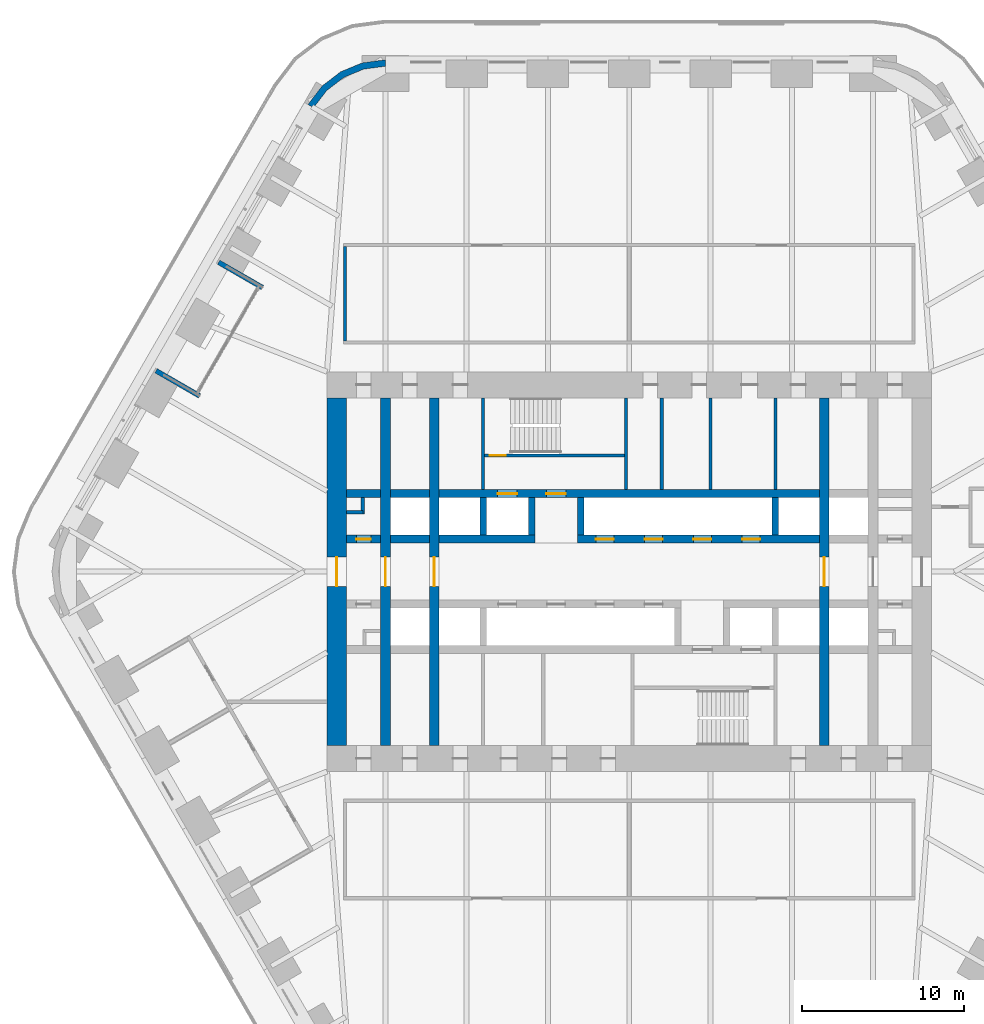
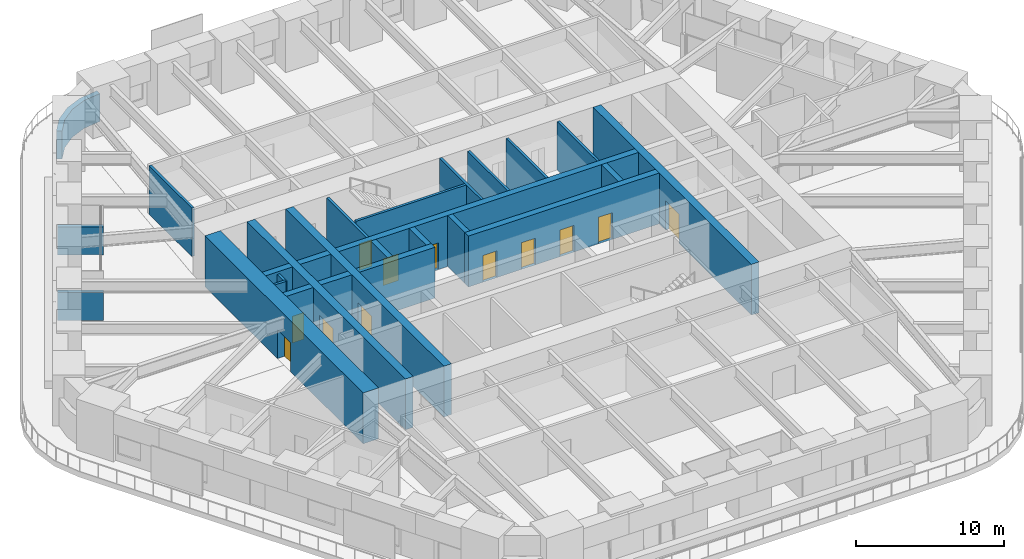
# One storey, part 19 of 24: 27 walls, 12 doors, 12 openings.
"""IFC4 building model written with IfcOpenShell, lengths in metres."""

from ifc_helpers import new_model, si_unit, direction, frame, frame_2d, origin, place, context, subcontext, project, spatial, polyline, rectangle, outline, extrude, material, layer, layer_set, type_object, element, fill, save


model = new_model("IFC4")

# Units and contexts
model_context = context("Model", 3, precision=1e-05, world=origin(), true_north=direction((0.0, 1.0)))
body_context = subcontext(model_context, "Body", "Model", "MODEL_VIEW")
ifc_project = project(units=[si_unit("LENGTHUNIT", "METRE"), si_unit("AREAUNIT", "SQUARE_METRE"), si_unit("VOLUMEUNIT", "CUBIC_METRE"), si_unit("PLANEANGLEUNIT", "RADIAN"), si_unit("MASSUNIT", "GRAM", prefix="KILO")], contexts=[model_context])

# Site, building, storey
site_placement = place(None, origin())
site = spatial("IfcSite", under=ifc_project, at=site_placement, CompositionType="ELEMENT")
building_placement = place(site_placement, origin())
building = spatial("IfcBuilding", under=site, at=building_placement, Name="Tarfa Lantern Tower", CompositionType="ELEMENT")
storey_placement = place(building_placement, frame((0.0, 0.0, 119.5)))
storey = spatial("IfcBuildingStorey", under=building, at=storey_placement, Name="L26", CompositionType="ELEMENT", Elevation=119.5)

# Walls
ifc_material_1 = material(Name="Limestone cladding on blockwork", Category="masonry")
ifc_layer_1 = layer(ifc_material_1, 0.300048828125)
ifc_layer_set_1 = layer_set([ifc_layer_1], Name="EW1 STONE-CLAD WALL 300")
wall_type_1 = type_object("IfcWallType", Name="EW1 STONE-CLAD WALL 300", PredefinedType="SOLIDWALL", material=ifc_layer_set_1)
wall_1_placement = place(storey_placement, frame((-25.266357421875, 19.037353515625, 0.0), z_axis=(0.0, 0.0, 1.0), x_axis=(0.86600983753, -0.500026960575, 0.0)))
element("IfcWall", 1, at=wall_1_placement, inside=storey, type_object=wall_type_1, Name="Loggia return NW 1", PredefinedType="SOLIDWALL", context=body_context, shape_type="SweptSolid", body=[
    extrude(rectangle(XDim=3.099853515625, YDim=0.300048828125, at=frame_2d((1.5498046875, 0.0))), origin(), (0.0, 0.0, 1.0), 2.300048828125),
])
wall_2_placement = place(storey_placement, frame((-29.1201171875, 12.362548828125, 0.0), z_axis=(0.0, 0.0, 1.0), x_axis=(0.86602952684, -0.49999285859, 0.0)))
element("IfcWall", 2, at=wall_2_placement, inside=storey, type_object=wall_type_1, Name="Loggia return NW 2", PredefinedType="SOLIDWALL", context=body_context, shape_type="SweptSolid", body=[
    extrude(rectangle(XDim=3.10009765625, YDim=0.300048828125, at=frame_2d((1.550048828125, 0.0))), origin(), (0.0, 0.0, 1.0), 2.300048828125),
])
ifc_layer_2 = layer(ifc_material_1, 0.39990234375)
ifc_layer_set_2 = layer_set([ifc_layer_2], Name="EW2 CURVED STONE CORNER 400")
wall_type_2 = type_object("IfcWallType", Name="EW2 CURVED STONE CORNER 400", PredefinedType="SOLIDWALL", material=ifc_layer_set_2)
wall_3_placement = place(storey_placement, origin())
element("IfcWall", 3, at=wall_3_placement, inside=storey, type_object=wall_type_2, Name="Stone corner N-NW", PredefinedType="SOLIDWALL", context=body_context, shape_type="SweptSolid", body=[
    extrude(outline(polyline([(-15.010986328125, 31.5), (-16.4345703125, 31.3125), (-17.760986328125, 30.76318359375), (-18.900146484375, 29.88916015625), (-19.774169921875, 28.75), (-19.427734375, 28.550048828125), (-18.617431640625, 29.606201171875), (-17.56103515625, 30.416748046875), (-16.3310546875, 30.92626953125), (-15.010986328125, 31.10009765625), (-15.010986328125, 31.5)])), origin(), (0.0, 0.0, 1.0), 2.300048828125),
])
ifc_material_2 = material(Name="Concrete blockwork", Category="masonry")
ifc_layer_3 = layer(ifc_material_2, 0.199951171875)
ifc_layer_set_3 = layer_set([ifc_layer_3], Name="IW1 BLOCKWORK PARTITION 200 EI 120")
wall_type_3 = type_object("IfcWallType", Name="IW1 BLOCKWORK PARTITION 200 EI 120", PredefinedType="PARTITIONING", material=ifc_layer_set_3)
for number, where, z_axis, x_axis, name in (
    (4, (-9.0, 5.050048828125, 0.0), (0.0, 0.0, 1.0), (0.0, 1.0, 0.0), "Core partition"),
    (5, (9.0, 5.050048828125, 0.0), (0.0, 0.0, 1.0), (0.0, 1.0, 0.0), "Core partition"),
    (6, (2.0, 5.050048828125, 0.0), (0.0, 0.0, 1.0), (0.0, 1.0, 0.0), "Core partition"),
    (7, (5.0, 5.050048828125, 0.0), (0.0, 0.0, 1.0), (0.0, 1.0, 0.0), "Core partition"),
):
    element("IfcWall", number, at=place(storey_placement, frame(where, z_axis=z_axis, x_axis=x_axis)), inside=storey, type_object=wall_type_3, Name=name, PredefinedType="PARTITIONING", context=body_context, shape_type="SweptSolid", body=[
        extrude(rectangle(XDim=5.64990234375, YDim=0.199951171875, at=frame_2d((2.824951171875, 0.0))), origin(), (0.0, 0.0, 1.0), 4.0),
    ])
for number, where, z_axis, x_axis, name in (
    (8, (-17.39990234375, 3.64990234375, 0.0), (0.0, 0.0, 1.0), (1.0, 0.0, 0.0), "Core partition"),
    (9, (-16.39990234375, 3.550048828125, 0.0), (0.0, 0.0, 1.0), (0.0, 1.0, 0.0), "Core partition"),
):
    element("IfcWall", number, at=place(storey_placement, frame(where, z_axis=z_axis, x_axis=x_axis)), inside=storey, type_object=wall_type_3, Name=name, PredefinedType="PARTITIONING", context=body_context, shape_type="SweptSolid", body=[
        extrude(rectangle(XDim=1.0, YDim=0.199951171875, at=frame_2d((0.5, 0.0))), origin(), (0.0, 0.0, 1.0), 4.0),
    ])
ifc_material_3 = material(Name="Gypsum board on steel studs", Category="steel")
ifc_layer_4 = layer(ifc_material_3, 0.2099609375)
ifc_layer_set_4 = layer_set([ifc_layer_4], Name="IW2 ACOUSTIC PARTITION 200")
wall_type_4 = type_object("IfcWallType", Name="IW2 ACOUSTIC PARTITION 200", PredefinedType="PARTITIONING", material=ifc_layer_set_4)
wall_4_placement = place(storey_placement, frame((-17.5, 14.199951171875, 0.0), z_axis=(0.0, 0.0, 1.0), x_axis=(0.0, 1.0, 0.0)))
element("IfcWall", 10, at=wall_4_placement, inside=storey, type_object=wall_type_4, Name="Partition", PredefinedType="PARTITIONING", context=body_context, shape_type="SweptSolid", body=[
    extrude(rectangle(XDim=5.800048828125, YDim=0.199951171875, at=frame_2d((2.89990234375, 0.0))), origin(), (0.0, 0.0, 1.0), 4.0),
])

# Wall, opening, door
ifc_material_4 = material(Name="Concrete C80/95", Category="concrete")
ifc_layer_5 = layer(ifc_material_4, 1.199951171875)
ifc_layer_set_5 = layer_set([ifc_layer_5], Name="SW1 CORE WALL 1200")
wall_type_5 = type_object("IfcWallType", Name="SW1 CORE WALL 1200", PredefinedType="SHEAR", material=ifc_layer_set_5)
wall_5_placement = place(storey_placement, frame((-18.0, 10.699951171875, 0.0), z_axis=(0.0, 0.0, 1.0), x_axis=(0.0, -1.0, 0.0)))
wall_5 = element("IfcWall", 11, at=wall_5_placement, inside=storey, type_object=wall_type_5, Name="Core wall W", PredefinedType="SHEAR", context=body_context, shape_type="SweptSolid", body=[
    extrude(rectangle(XDim=21.39990234375, YDim=1.199951171875, at=frame_2d((10.699951171875, 0.0))), origin(), (0.0, 0.0, 1.0), 4.199951171875),
])
opening_1_placement = place(wall_5_placement, frame((9.800048828125, 0.0, 0.0)))
opening_1 = element("IfcOpeningElement", 12, at=opening_1_placement, cuts=wall_5, Name="Opening D16", PredefinedType="OPENING", context=body_context, shape_type="SweptSolid", body=[
    extrude(rectangle(XDim=1.800048828125, YDim=2.39990234375, at=frame_2d((0.89990234375, 1.199951171875))), frame((0.0, 0.60986328125, 0.0), z_axis=(0.0, -1.0, 0.0), x_axis=(1.0, 0.0, 0.0)), (0.0, 0.0, 1.0), 1.219970703125),
])
ifc_material_5 = material(Name="Steel fire door", Category="steel")
door_type_1 = type_object("IfcDoorType", Name="DL1 LOBBY DOOR 1800x2400", OperationType="DOUBLE_DOOR_SINGLE_SWING", PredefinedType="DOOR", material=ifc_material_5)
door_1_placement = place(opening_1_placement, frame((1.800048828125, 0.0, 0.0), z_axis=(0.0, 0.0, 1.0), x_axis=(-1.0, 0.0, 0.0)))
door_1 = element("IfcDoor", 13, at=door_1_placement, inside=storey, type_object=door_type_1, Name="Lift lobby door", OperationType="DOUBLE_DOOR_SINGLE_SWING", OverallHeight=2.39990234375, OverallWidth=1.800048828125, PredefinedType="DOOR", context=body_context, shape_type="SweptSolid", body=[
    extrude(rectangle(XDim=1.800048828125, YDim=2.39990234375, at=frame_2d((0.89990234375, 1.199951171875))), frame((0.0, 0.02490234375, 0.0), z_axis=(0.0, -1.0, 0.0), x_axis=(1.0, 0.0, 0.0)), (0.0, 0.0, 1.0), 0.050048828125),
])
fill(opening_1, door_1)

# Wall
ifc_layer_6 = layer(ifc_material_4, 0.199951171875)
ifc_layer_set_6 = layer_set([ifc_layer_6], Name="SW12 CORE WALL 200")
wall_type_6 = type_object("IfcWallType", Name="SW12 CORE WALL 200", PredefinedType="SHEAR", material=ifc_layer_set_6)
wall_6_placement = place(storey_placement, frame((-0.199951171875, 5.050048828125, 0.0), z_axis=(0.0, 0.0, 1.0), x_axis=(0.0, 1.0, 0.0)))
element("IfcWall", 14, at=wall_6_placement, inside=storey, type_object=wall_type_6, Name="Core wall stair shaft N", PredefinedType="SHEAR", context=body_context, shape_type="SweptSolid", body=[
    extrude(rectangle(XDim=5.64990234375, YDim=0.199951171875, at=frame_2d((2.824951171875, 0.0))), origin(), (0.0, 0.0, 1.0), 4.199951171875),
])

# Wall, opening, door
wall_7_placement = place(storey_placement, frame((-8.89990234375, 7.14990234375, 0.0), z_axis=(0.0, 0.0, 1.0), x_axis=(1.0, 0.0, 0.0)))
wall_7 = element("IfcWall", 15, at=wall_7_placement, inside=storey, type_object=wall_type_6, Name="Core wall stair partition N", PredefinedType="SHEAR", context=body_context, shape_type="SweptSolid", body=[
    extrude(rectangle(XDim=8.599853515625, YDim=0.199951171875, at=frame_2d((4.2998046875, 0.0))), origin(), (0.0, 0.0, 1.0), 4.199951171875),
])
opening_2_placement = place(wall_7_placement, frame((0.300048828125, 0.0, 0.0)))
opening_2 = element("IfcOpeningElement", 16, at=opening_2_placement, cuts=wall_7, Name="Opening D27", PredefinedType="OPENING", context=body_context, shape_type="SweptSolid", body=[
    extrude(rectangle(XDim=1.0, YDim=2.199951171875, at=frame_2d((0.5, 1.10009765625))), frame((0.0, 0.10986328125, 0.0), z_axis=(0.0, -1.0, 0.0), x_axis=(1.0, 0.0, 0.0)), (0.0, 0.0, 1.0), 0.219970703125),
])
door_type_2 = type_object("IfcDoorType", Name="DF2 STAIR DOOR 1000x2200", OperationType="SINGLE_SWING_LEFT", PredefinedType="DOOR", material=ifc_material_5)
door_2_placement = place(opening_2_placement, origin())
door_2 = element("IfcDoor", 17, at=door_2_placement, inside=storey, type_object=door_type_2, Name="Stair door", OperationType="SINGLE_SWING_RIGHT", OverallHeight=2.199951171875, OverallWidth=1.0, PredefinedType="DOOR", context=body_context, shape_type="SweptSolid", body=[
    extrude(rectangle(XDim=1.0, YDim=2.199951171875, at=frame_2d((0.5, 1.10009765625))), frame((0.0, 0.02490234375, 0.0), z_axis=(0.0, -1.0, 0.0), x_axis=(1.0, 0.0, 0.0)), (0.0, 0.0, 1.0), 0.050048828125),
])
fill(opening_2, door_2)

ifc_layer_7 = layer(ifc_material_4, 0.5)
ifc_layer_set_7 = layer_set([ifc_layer_7], Name="SW5 CORE WALL 500")
wall_type_7 = type_object("IfcWallType", Name="SW5 CORE WALL 500", PredefinedType="SHEAR", material=ifc_layer_set_7)
wall_8_placement = place(storey_placement, frame((-17.39990234375, 2.0, 0.0), z_axis=(0.0, 0.0, 1.0), x_axis=(1.0, 0.0, 0.0)))
wall_8 = element("IfcWall", 18, at=wall_8_placement, inside=storey, type_object=wall_type_7, Name="Core wall lobby west N", PredefinedType="SHEAR", context=body_context, shape_type="SweptSolid", body=[
    extrude(rectangle(XDim=2.099853515625, YDim=0.5, at=frame_2d((1.0498046875, 0.0))), origin(), (0.0, 0.0, 1.0), 4.199951171875),
])
opening_3_placement = place(wall_8_placement, frame((0.60009765625, 0.0, 0.0)))
opening_3 = element("IfcOpeningElement", 19, at=opening_3_placement, cuts=wall_8, Name="Opening D19", PredefinedType="OPENING", context=body_context, shape_type="SweptSolid", body=[
    extrude(rectangle(XDim=0.89990234375, YDim=2.199951171875, at=frame_2d((0.449951171875, 1.10009765625))), frame((0.0, 0.260009765625, 0.0), z_axis=(0.0, -1.0, 0.0), x_axis=(1.0, 0.0, 0.0)), (0.0, 0.0, 1.0), 0.52001953125),
])
door_type_3 = type_object("IfcDoorType", Name="DF6 SERVICE ROOM DOOR 900x2200", OperationType="SINGLE_SWING_LEFT", PredefinedType="DOOR", material=ifc_material_5)
door_3_placement = place(opening_3_placement, origin())
door_3 = element("IfcDoor", 20, at=door_3_placement, inside=storey, type_object=door_type_3, Name="Service room door", OperationType="SINGLE_SWING_LEFT", OverallHeight=2.199951171875, OverallWidth=0.89990234375, PredefinedType="DOOR", context=body_context, shape_type="SweptSolid", body=[
    extrude(rectangle(XDim=0.89990234375, YDim=2.199951171875, at=frame_2d((0.449951171875, 1.10009765625))), frame((0.0, 0.02490234375, 0.0), z_axis=(0.0, -1.0, 0.0), x_axis=(1.0, 0.0, 0.0)), (0.0, 0.0, 1.0), 0.050048828125),
])
fill(opening_3, door_3)

# Walls
wall_9_placement = place(storey_placement, frame((-14.699951171875, 2.0, 0.0), z_axis=(0.0, 0.0, 1.0), x_axis=(1.0, 0.0, 0.0)))
element("IfcWall", 21, at=wall_9_placement, inside=storey, type_object=wall_type_7, Name="Core wall lobby west N", PredefinedType="SHEAR", context=body_context, shape_type="SweptSolid", body=[
    extrude(rectangle(XDim=2.39990234375, YDim=0.5, at=frame_2d((1.199951171875, 0.0))), origin(), (0.0, 0.0, 1.0), 4.199951171875),
])
wall_10_placement = place(storey_placement, frame((-11.699951171875, 2.0, 0.0), z_axis=(0.0, 0.0, 1.0), x_axis=(1.0, 0.0, 0.0)))
element("IfcWall", 22, at=wall_10_placement, inside=storey, type_object=wall_type_7, Name="Core wall lobby west N", PredefinedType="SHEAR", context=body_context, shape_type="SweptSolid", body=[
    extrude(rectangle(XDim=5.89990234375, YDim=0.5, at=frame_2d((2.949951171875, 0.0))), origin(), (0.0, 0.0, 1.0), 4.199951171875),
])

# Wall, openings, doors
wall_11_placement = place(storey_placement, frame((-3.199951171875, 2.0, 0.0), z_axis=(0.0, 0.0, 1.0), x_axis=(1.0, 0.0, 0.0)))
wall_11 = element("IfcWall", 23, at=wall_11_placement, inside=storey, type_object=wall_type_7, Name="Core wall lobby east N", PredefinedType="SHEAR", context=body_context, shape_type="SweptSolid", body=[
    extrude(rectangle(XDim=14.89990234375, YDim=0.5, at=frame_2d((7.449951171875, 0.0))), origin(), (0.0, 0.0, 1.0), 4.199951171875),
])
opening_4_placement = place(wall_11_placement, frame((1.14990234375, 0.0, 0.0)))
opening_4 = element("IfcOpeningElement", 24, at=opening_4_placement, cuts=wall_11, Name="Opening LD03", PredefinedType="OPENING", context=body_context, shape_type="SweptSolid", body=[
    extrude(rectangle(XDim=1.10009765625, YDim=2.199951171875, at=frame_2d((0.550048828125, 1.10009765625))), frame((0.0, 0.260009765625, 0.0), z_axis=(0.0, -1.0, 0.0), x_axis=(1.0, 0.0, 0.0)), (0.0, 0.0, 1.0), 0.52001953125),
])
opening_5_placement = place(wall_11_placement, frame((4.14990234375, 0.0, 0.0)))
opening_5 = element("IfcOpeningElement", 25, at=opening_5_placement, cuts=wall_11, Name="Opening LD04", PredefinedType="OPENING", context=body_context, shape_type="SweptSolid", body=[
    extrude(rectangle(XDim=1.10009765625, YDim=2.199951171875, at=frame_2d((0.550048828125, 1.10009765625))), frame((0.0, 0.260009765625, 0.0), z_axis=(0.0, -1.0, 0.0), x_axis=(1.0, 0.0, 0.0)), (0.0, 0.0, 1.0), 0.52001953125),
])
opening_6_placement = place(wall_11_placement, frame((7.14990234375, 0.0, 0.0)))
opening_6 = element("IfcOpeningElement", 26, at=opening_6_placement, cuts=wall_11, Name="Opening LD05", PredefinedType="OPENING", context=body_context, shape_type="SweptSolid", body=[
    extrude(rectangle(XDim=1.10009765625, YDim=2.199951171875, at=frame_2d((0.550048828125, 1.10009765625))), frame((0.0, 0.260009765625, 0.0), z_axis=(0.0, -1.0, 0.0), x_axis=(1.0, 0.0, 0.0)), (0.0, 0.0, 1.0), 0.52001953125),
])
opening_7_placement = place(wall_11_placement, frame((10.14990234375, 0.0, 0.0)))
opening_7 = element("IfcOpeningElement", 27, at=opening_7_placement, cuts=wall_11, Name="Opening LD06", PredefinedType="OPENING", context=body_context, shape_type="SweptSolid", body=[
    extrude(rectangle(XDim=1.10009765625, YDim=2.199951171875, at=frame_2d((0.550048828125, 1.10009765625))), frame((0.0, 0.260009765625, 0.0), z_axis=(0.0, -1.0, 0.0), x_axis=(1.0, 0.0, 0.0)), (0.0, 0.0, 1.0), 0.52001953125),
])
ifc_material_6 = material(Name="Stainless steel lift door", Category="steel")
door_type_4 = type_object("IfcDoorType", Name="LD2 LIFT LANDING DOOR 1100x2200", OperationType="SLIDING_TO_LEFT", PredefinedType="DOOR", material=ifc_material_6)
door_4_placement = place(opening_4_placement, frame((1.10009765625, 0.0, 0.0), z_axis=(0.0, 0.0, 1.0), x_axis=(-1.0, 0.0, 0.0)))
door_4 = element("IfcDoor", 28, at=door_4_placement, inside=storey, type_object=door_type_4, Name="Landing door PB1", OperationType="SLIDING_TO_LEFT", OverallHeight=2.199951171875, OverallWidth=1.10009765625, PredefinedType="DOOR", context=body_context, shape_type="SweptSolid", body=[
    extrude(rectangle(XDim=1.10009765625, YDim=2.199951171875, at=frame_2d((0.550048828125, 1.10009765625))), frame((0.0, 0.02490234375, 0.0), z_axis=(0.0, -1.0, 0.0), x_axis=(1.0, 0.0, 0.0)), (0.0, 0.0, 1.0), 0.050048828125),
])
fill(opening_4, door_4)
door_5_placement = place(opening_5_placement, frame((1.10009765625, 0.0, 0.0), z_axis=(0.0, 0.0, 1.0), x_axis=(-1.0, 0.0, 0.0)))
door_5 = element("IfcDoor", 29, at=door_5_placement, inside=storey, type_object=door_type_4, Name="Landing door PB2", OperationType="SLIDING_TO_LEFT", OverallHeight=2.199951171875, OverallWidth=1.10009765625, PredefinedType="DOOR", context=body_context, shape_type="SweptSolid", body=[
    extrude(rectangle(XDim=1.10009765625, YDim=2.199951171875, at=frame_2d((0.550048828125, 1.10009765625))), frame((0.0, 0.02490234375, 0.0), z_axis=(0.0, -1.0, 0.0), x_axis=(1.0, 0.0, 0.0)), (0.0, 0.0, 1.0), 0.050048828125),
])
fill(opening_5, door_5)
door_6_placement = place(opening_6_placement, frame((1.10009765625, 0.0, 0.0), z_axis=(0.0, 0.0, 1.0), x_axis=(-1.0, 0.0, 0.0)))
door_6 = element("IfcDoor", 30, at=door_6_placement, inside=storey, type_object=door_type_4, Name="Landing door PB3", OperationType="SLIDING_TO_LEFT", OverallHeight=2.199951171875, OverallWidth=1.10009765625, PredefinedType="DOOR", context=body_context, shape_type="SweptSolid", body=[
    extrude(rectangle(XDim=1.10009765625, YDim=2.199951171875, at=frame_2d((0.550048828125, 1.10009765625))), frame((0.0, 0.02490234375, 0.0), z_axis=(0.0, -1.0, 0.0), x_axis=(1.0, 0.0, 0.0)), (0.0, 0.0, 1.0), 0.050048828125),
])
fill(opening_6, door_6)
door_7_placement = place(opening_7_placement, frame((1.10009765625, 0.0, 0.0), z_axis=(0.0, 0.0, 1.0), x_axis=(-1.0, 0.0, 0.0)))
door_7 = element("IfcDoor", 31, at=door_7_placement, inside=storey, type_object=door_type_4, Name="Landing door PB4", OperationType="SLIDING_TO_LEFT", OverallHeight=2.199951171875, OverallWidth=1.10009765625, PredefinedType="DOOR", context=body_context, shape_type="SweptSolid", body=[
    extrude(rectangle(XDim=1.10009765625, YDim=2.199951171875, at=frame_2d((0.550048828125, 1.10009765625))), frame((0.0, 0.02490234375, 0.0), z_axis=(0.0, -1.0, 0.0), x_axis=(1.0, 0.0, 0.0)), (0.0, 0.0, 1.0), 0.050048828125),
])
fill(opening_7, door_7)

# Walls
wall_12_placement = place(storey_placement, frame((-17.39990234375, 4.800048828125, 0.0), z_axis=(0.0, 0.0, 1.0), x_axis=(1.0, 0.0, 0.0)))
element("IfcWall", 32, at=wall_12_placement, inside=storey, type_object=wall_type_7, Name="Core wall rear N", PredefinedType="SHEAR", context=body_context, shape_type="SweptSolid", body=[
    extrude(rectangle(XDim=2.099853515625, YDim=0.5, at=frame_2d((1.0498046875, 0.0))), origin(), (0.0, 0.0, 1.0), 4.199951171875),
])
wall_13_placement = place(storey_placement, frame((-14.699951171875, 4.800048828125, 0.0), z_axis=(0.0, 0.0, 1.0), x_axis=(1.0, 0.0, 0.0)))
element("IfcWall", 33, at=wall_13_placement, inside=storey, type_object=wall_type_7, Name="Core wall rear N", PredefinedType="SHEAR", context=body_context, shape_type="SweptSolid", body=[
    extrude(rectangle(XDim=2.39990234375, YDim=0.5, at=frame_2d((1.199951171875, 0.0))), origin(), (0.0, 0.0, 1.0), 4.199951171875),
])

# Wall, openings, doors
wall_14_placement = place(storey_placement, frame((-11.699951171875, 4.800048828125, 0.0), z_axis=(0.0, 0.0, 1.0), x_axis=(1.0, 0.0, 0.0)))
wall_14 = element("IfcWall", 34, at=wall_14_placement, inside=storey, type_object=wall_type_7, Name="Core wall rear N", PredefinedType="SHEAR", context=body_context, shape_type="SweptSolid", body=[
    extrude(rectangle(XDim=23.39990234375, YDim=0.5, at=frame_2d((11.699951171875, 0.0))), origin(), (0.0, 0.0, 1.0), 4.199951171875),
])
opening_8_placement = place(wall_14_placement, frame((6.60009765625, 0.0, 0.0)))
opening_8 = element("IfcOpeningElement", 35, at=opening_8_placement, cuts=wall_14, Name="Opening D13", PredefinedType="OPENING", context=body_context, shape_type="SweptSolid", body=[
    extrude(rectangle(XDim=1.199951171875, YDim=2.199951171875, at=frame_2d((0.60009765625, 1.10009765625))), frame((0.0, 0.260009765625, 0.0), z_axis=(0.0, -1.0, 0.0), x_axis=(1.0, 0.0, 0.0)), (0.0, 0.0, 1.0), 0.52001953125),
])
opening_9_placement = place(wall_14_placement, frame((3.60009765625, 0.0, 0.0)))
opening_9 = element("IfcOpeningElement", 36, at=opening_9_placement, cuts=wall_14, Name="Opening LD01", PredefinedType="OPENING", context=body_context, shape_type="SweptSolid", body=[
    extrude(rectangle(XDim=1.199951171875, YDim=2.199951171875, at=frame_2d((0.60009765625, 1.10009765625))), frame((0.0, 0.260009765625, 0.0), z_axis=(0.0, -1.0, 0.0), x_axis=(1.0, 0.0, 0.0)), (0.0, 0.0, 1.0), 0.52001953125),
])
door_type_5 = type_object("IfcDoorType", Name="DF1 FIREFIGHTING LOBBY DOOR 1200x2200", OperationType="SINGLE_SWING_LEFT", PredefinedType="DOOR", material=ifc_material_5)
door_8_placement = place(opening_8_placement, origin())
door_8 = element("IfcDoor", 37, at=door_8_placement, inside=storey, type_object=door_type_5, Name="Firefighting lobby door", OperationType="SINGLE_SWING_LEFT", OverallHeight=2.199951171875, OverallWidth=1.199951171875, PredefinedType="DOOR", context=body_context, shape_type="SweptSolid", body=[
    extrude(rectangle(XDim=1.199951171875, YDim=2.199951171875, at=frame_2d((0.60009765625, 1.10009765625))), frame((0.0, 0.02490234375, 0.0), z_axis=(0.0, -1.0, 0.0), x_axis=(1.0, 0.0, 0.0)), (0.0, 0.0, 1.0), 0.050048828125),
])
fill(opening_8, door_8)
door_type_6 = type_object("IfcDoorType", Name="LD1 LIFT LANDING DOOR 1200x2200", OperationType="SLIDING_TO_LEFT", PredefinedType="DOOR", material=ifc_material_6)
door_9_placement = place(opening_9_placement, origin())
door_9 = element("IfcDoor", 38, at=door_9_placement, inside=storey, type_object=door_type_6, Name="Landing door FL1", OperationType="SLIDING_TO_LEFT", OverallHeight=2.199951171875, OverallWidth=1.199951171875, PredefinedType="DOOR", context=body_context, shape_type="SweptSolid", body=[
    extrude(rectangle(XDim=1.199951171875, YDim=2.199951171875, at=frame_2d((0.60009765625, 1.10009765625))), frame((0.0, 0.02490234375, 0.0), z_axis=(0.0, -1.0, 0.0), x_axis=(1.0, 0.0, 0.0)), (0.0, 0.0, 1.0), 0.050048828125),
])
fill(opening_9, door_9)

# Walls
ifc_layer_8 = layer(ifc_material_4, 0.39990234375)
ifc_layer_set_8 = layer_set([ifc_layer_8], Name="SW6 CORE WALL 400")
wall_type_8 = type_object("IfcWallType", Name="SW6 CORE WALL 400", PredefinedType="SHEAR", material=ifc_layer_set_8)
for number, where, z_axis, x_axis, name in (
    (39, (-9.0, 2.25, 0.0), (0.0, 0.0, 1.0), (0.0, 1.0, 0.0), "Core wall divider N"),
    (40, (-6.0, 2.25, 0.0), (0.0, 0.0, 1.0), (0.0, 1.0, 0.0), "Core wall divider N"),
    (41, (-3.0, 2.25, 0.0), (0.0, 0.0, 1.0), (0.0, 1.0, 0.0), "Core wall divider N"),
    (42, (9.0, 2.25, 0.0), (0.0, 0.0, 1.0), (0.0, 1.0, 0.0), "Core wall divider N"),
):
    element("IfcWall", number, at=place(storey_placement, frame(where, z_axis=z_axis, x_axis=x_axis)), inside=storey, type_object=wall_type_8, Name=name, PredefinedType="SHEAR", context=body_context, shape_type="SweptSolid", body=[
        extrude(rectangle(XDim=2.300048828125, YDim=0.39990234375, at=frame_2d((1.14990234375, 0.0))), origin(), (0.0, 0.0, 1.0), 4.199951171875),
    ])

# Wall, opening, door
ifc_layer_9 = layer(ifc_material_4, 0.60009765625)
ifc_layer_set_9 = layer_set([ifc_layer_9], Name="SW9 CORE WALL 600")
wall_type_9 = type_object("IfcWallType", Name="SW9 CORE WALL 600", PredefinedType="SHEAR", material=ifc_layer_set_9)
wall_15_placement = place(storey_placement, frame((12.0, -10.699951171875, 0.0), z_axis=(0.0, 0.0, 1.0), x_axis=(0.0, 1.0, 0.0)))
wall_15 = element("IfcWall", 43, at=wall_15_placement, inside=storey, type_object=wall_type_9, Name="Core wall cross 12 m east", PredefinedType="SHEAR", context=body_context, shape_type="SweptSolid", body=[
    extrude(rectangle(XDim=21.39990234375, YDim=0.60009765625, at=frame_2d((10.699951171875, 0.0))), origin(), (0.0, 0.0, 1.0), 4.199951171875),
])
opening_10_placement = place(wall_15_placement, frame((9.800048828125, 0.0, 0.0)))
opening_10 = element("IfcOpeningElement", 44, at=opening_10_placement, cuts=wall_15, Name="Opening D29", PredefinedType="OPENING", context=body_context, shape_type="SweptSolid", body=[
    extrude(rectangle(XDim=1.800048828125, YDim=2.39990234375, at=frame_2d((0.89990234375, 1.199951171875))), frame((0.0, 0.31005859375, 0.0), z_axis=(0.0, -1.0, 0.0), x_axis=(1.0, 0.0, 0.0)), (0.0, 0.0, 1.0), 0.6201171875),
])
door_10_placement = place(opening_10_placement, origin())
door_10 = element("IfcDoor", 45, at=door_10_placement, inside=storey, type_object=door_type_1, Name="Lift lobby door", OperationType="DOUBLE_DOOR_SINGLE_SWING", OverallHeight=2.39990234375, OverallWidth=1.800048828125, PredefinedType="DOOR", context=body_context, shape_type="SweptSolid", body=[
    extrude(rectangle(XDim=1.800048828125, YDim=2.39990234375, at=frame_2d((0.89990234375, 1.199951171875))), frame((0.0, 0.02490234375, 0.0), z_axis=(0.0, -1.0, 0.0), x_axis=(1.0, 0.0, 0.0)), (0.0, 0.0, 1.0), 0.050048828125),
])
fill(opening_10, door_10)

wall_16_placement = place(storey_placement, frame((-12.0, -10.699951171875, 0.0), z_axis=(0.0, 0.0, 1.0), x_axis=(0.0, 1.0, 0.0)))
wall_16 = element("IfcWall", 46, at=wall_16_placement, inside=storey, type_object=wall_type_9, Name="Core wall cross 12 m west", PredefinedType="SHEAR", context=body_context, shape_type="SweptSolid", body=[
    extrude(rectangle(XDim=21.39990234375, YDim=0.60009765625, at=frame_2d((10.699951171875, 0.0))), origin(), (0.0, 0.0, 1.0), 4.199951171875),
])
opening_11_placement = place(wall_16_placement, frame((9.800048828125, 0.0, 0.0)))
opening_11 = element("IfcOpeningElement", 47, at=opening_11_placement, cuts=wall_16, Name="Opening D31", PredefinedType="OPENING", context=body_context, shape_type="SweptSolid", body=[
    extrude(rectangle(XDim=1.800048828125, YDim=2.39990234375, at=frame_2d((0.89990234375, 1.199951171875))), frame((0.0, 0.31005859375, 0.0), z_axis=(0.0, -1.0, 0.0), x_axis=(1.0, 0.0, 0.0)), (0.0, 0.0, 1.0), 0.6201171875),
])
door_11_placement = place(opening_11_placement, origin())
door_11 = element("IfcDoor", 48, at=door_11_placement, inside=storey, type_object=door_type_1, Name="Lift lobby door", OperationType="DOUBLE_DOOR_SINGLE_SWING", OverallHeight=2.39990234375, OverallWidth=1.800048828125, PredefinedType="DOOR", context=body_context, shape_type="SweptSolid", body=[
    extrude(rectangle(XDim=1.800048828125, YDim=2.39990234375, at=frame_2d((0.89990234375, 1.199951171875))), frame((0.0, 0.02490234375, 0.0), z_axis=(0.0, -1.0, 0.0), x_axis=(1.0, 0.0, 0.0)), (0.0, 0.0, 1.0), 0.050048828125),
])
fill(opening_11, door_11)

wall_17_placement = place(storey_placement, frame((-15.0, -10.699951171875, 0.0), z_axis=(0.0, 0.0, 1.0), x_axis=(0.0, 1.0, 0.0)))
wall_17 = element("IfcWall", 49, at=wall_17_placement, inside=storey, type_object=wall_type_9, Name="Core wall cross 15 m west", PredefinedType="SHEAR", context=body_context, shape_type="SweptSolid", body=[
    extrude(rectangle(XDim=21.39990234375, YDim=0.60009765625, at=frame_2d((10.699951171875, 0.0))), origin(), (0.0, 0.0, 1.0), 4.199951171875),
])
opening_12_placement = place(wall_17_placement, frame((9.800048828125, 0.0, 0.0)))
opening_12 = element("IfcOpeningElement", 50, at=opening_12_placement, cuts=wall_17, Name="Opening D32", PredefinedType="OPENING", context=body_context, shape_type="SweptSolid", body=[
    extrude(rectangle(XDim=1.800048828125, YDim=2.39990234375, at=frame_2d((0.89990234375, 1.199951171875))), frame((0.0, 0.31005859375, 0.0), z_axis=(0.0, -1.0, 0.0), x_axis=(1.0, 0.0, 0.0)), (0.0, 0.0, 1.0), 0.6201171875),
])
door_12_placement = place(opening_12_placement, origin())
door_12 = element("IfcDoor", 51, at=door_12_placement, inside=storey, type_object=door_type_1, Name="Lift lobby door", OperationType="DOUBLE_DOOR_SINGLE_SWING", OverallHeight=2.39990234375, OverallWidth=1.800048828125, PredefinedType="DOOR", context=body_context, shape_type="SweptSolid", body=[
    extrude(rectangle(XDim=1.800048828125, YDim=2.39990234375, at=frame_2d((0.89990234375, 1.199951171875))), frame((0.0, 0.02490234375, 0.0), z_axis=(0.0, -1.0, 0.0), x_axis=(1.0, 0.0, 0.0)), (0.0, 0.0, 1.0), 0.050048828125),
])
fill(opening_12, door_12)

save(model, "model.ifc")
